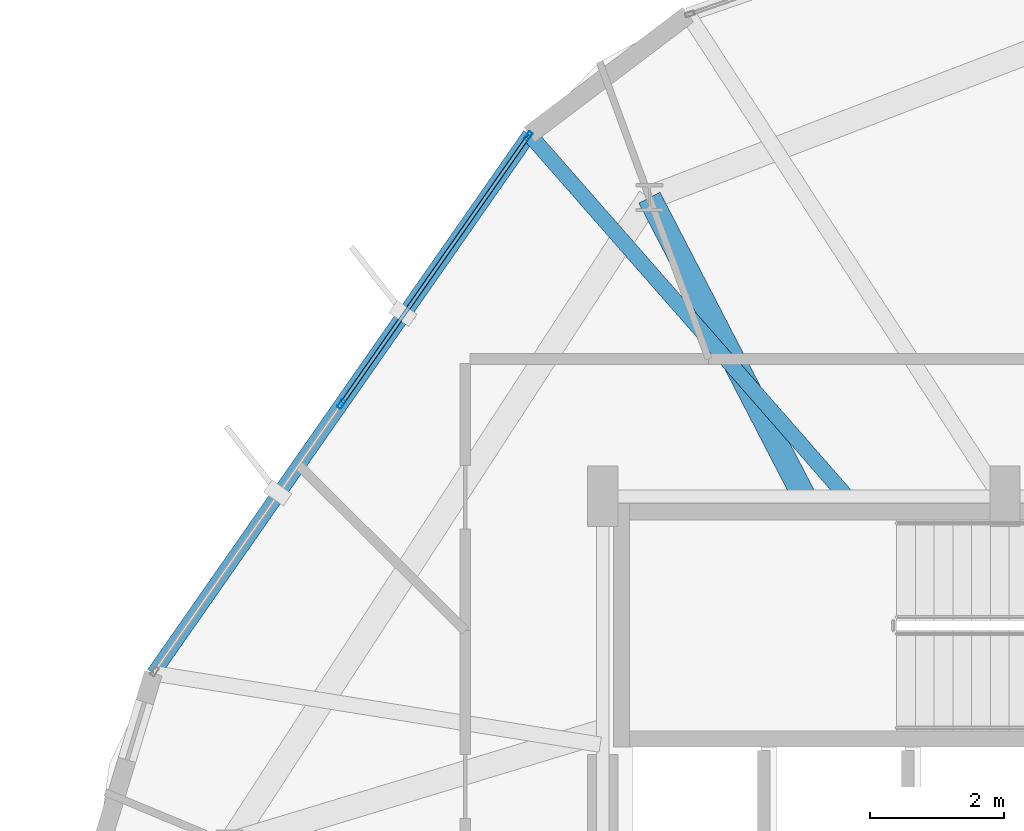
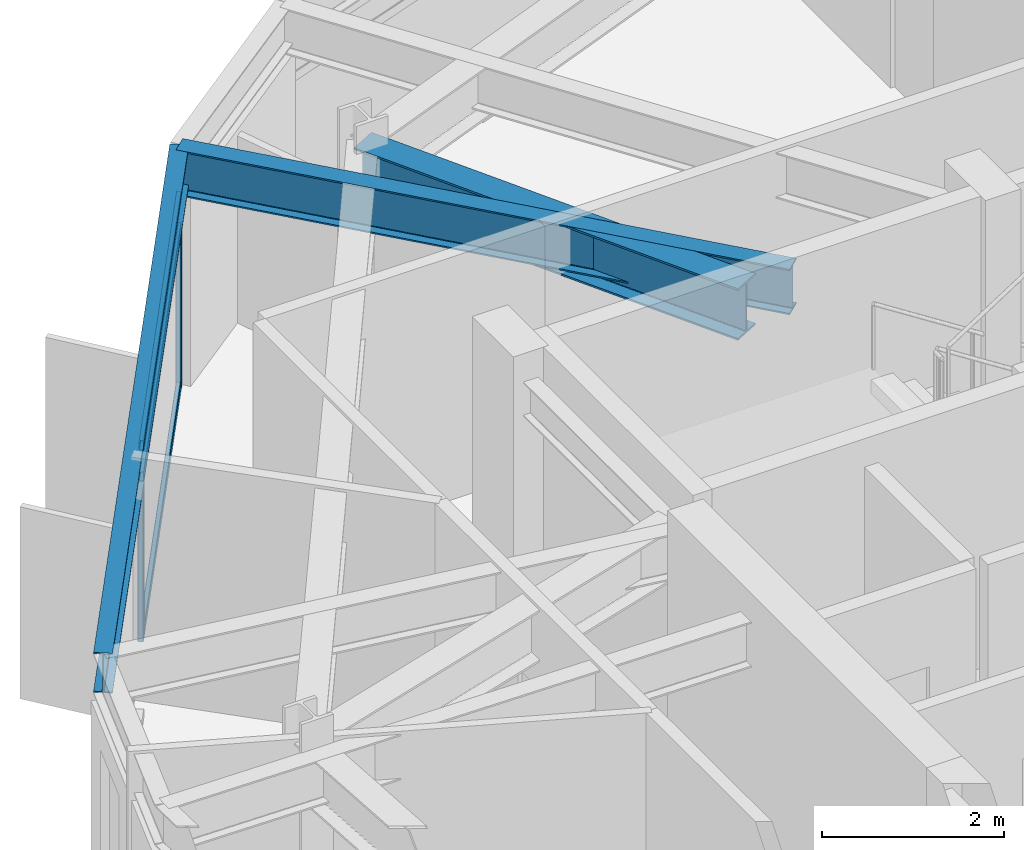
# One storey, part 19 of 34: 5 members, 3 beams, 1 element without a shape of its own.
"""IFC4 building model written with IfcOpenShell, lengths in metres."""

from ifc_helpers import new_model, si_unit, direction, frame, origin, origin_2d, place, context, subcontext, project, spatial, hollow_rectangle, i_section, extrude, material, layer, layer_set, material_profile, profile_set, type_object, element, aggregate, save


model = new_model("IFC4")

# Units and contexts
model_context = context("Model", 3, precision=1e-05, world=origin(), true_north=direction((0.0, 1.0)))
body_context = subcontext(model_context, "Body", "Model", "MODEL_VIEW")
ifc_project = project(units=[si_unit("LENGTHUNIT", "METRE"), si_unit("AREAUNIT", "SQUARE_METRE"), si_unit("VOLUMEUNIT", "CUBIC_METRE"), si_unit("PLANEANGLEUNIT", "RADIAN"), si_unit("MASSUNIT", "GRAM", prefix="KILO")], contexts=[model_context])

# Site, building, storey
site_placement = place(None, origin())
site = spatial("IfcSite", under=ifc_project, at=site_placement, CompositionType="ELEMENT")
building_placement = place(site_placement, origin())
building = spatial("IfcBuilding", under=site, at=building_placement, Name="Soratama Intermodal Tower", CompositionType="ELEMENT")
storey_placement = place(building_placement, frame((0.0, 0.0, 233.800048828125)))
storey = spatial("IfcBuildingStorey", under=building, at=storey_placement, Name="L59", CompositionType="ELEMENT", Elevation=233.800048828125)

# Beams
ifc_material_1 = material(Name="Structural steel ASTM A992 Grade 50", Category="steel")
ifc_material_profile_1 = material_profile(ifc_material_1, i_section(OverallWidth=0.35498046875, OverallDepth=0.695068359375, WebThickness=0.015380859375, FlangeThickness=0.02490234375, FilletRadius=0.01611328125, at=origin_2d()), Name="W27X146")
ifc_profile_set_1 = profile_set([ifc_material_profile_1], Name="Structural steel ASTM A992 Grade 50")
beam_type_1 = type_object("IfcBeamType", Name="BM-RING-W27X146", PredefinedType="BEAM", material=ifc_profile_set_1)
beam_1_placement = place(storey_placement, frame((35.60009765625, 35.0, 2.87255859375), z_axis=(-0.459552673174, 0.888150516849, 0.0), x_axis=(-0.888150516849, -0.459552673174, 0.0)))
element("IfcBeam", 1, at=beam_1_placement, inside=storey, type_object=beam_type_1, Name="BM-L59-RAD-04", PredefinedType="BEAM", context=body_context, shape_type="SweptSolid", body=[
    extrude(i_section(OverallWidth=0.35498046875, OverallDepth=0.695068359375, WebThickness=0.015380859375, FlangeThickness=0.02490234375, FilletRadius=0.01611328125, at=origin_2d()), origin(), (0.0, 0.0, 1.0), 5.01611328125),
])
ifc_material_2 = material(Name="Structural steel ASTM A992 Grade 50", Category="steel")
ifc_material_profile_2 = material_profile(ifc_material_2, i_section(OverallWidth=0.2099609375, OverallDepth=0.537109375, WebThickness=0.010986328125, FlangeThickness=0.017333984375, FilletRadius=0.012939453125, at=origin_2d()), Name="W21X68")
ifc_profile_set_2 = profile_set([ifc_material_profile_2], Name="Structural steel ASTM A992 Grade 50")
beam_type_2 = type_object("IfcBeamType", Name="BM-SPN-W21X68", PredefinedType="SPANDREL", material=ifc_profile_set_2)
beam_2_placement = place(storey_placement, frame((31.506103515625, 40.39501953125, 2.951416015625), z_axis=(-0.572393222026, -0.819979267651, 0.0), x_axis=(0.819979267651, -0.572393222026, 0.0)))
element("IfcBeam", 2, at=beam_2_placement, inside=storey, type_object=beam_type_2, Name="BS-L59-F03", PredefinedType="SPANDREL", context=body_context, shape_type="SweptSolid", body=[
    extrude(i_section(OverallWidth=0.2099609375, OverallDepth=0.537109375, WebThickness=0.010986328125, FlangeThickness=0.017333984375, FilletRadius=0.012939453125, at=origin_2d()), origin(), (0.0, 0.0, 1.0), 9.7978515625),
])
ifc_material_3 = material(Name="Structural steel ASTM A992 Grade 50", Category="steel")
ifc_material_profile_3 = material_profile(ifc_material_3, i_section(OverallWidth=0.22900390625, OverallDepth=0.612060546875, WebThickness=0.011962890625, FlangeThickness=0.01953125, FilletRadius=0.012939453125, at=origin_2d()), Name="W24X84")
ifc_profile_set_3 = profile_set([ifc_material_profile_3], Name="Structural steel ASTM A992 Grade 50")
beam_type_3 = type_object("IfcBeamType", Name="BM-TIE-W24X84", PredefinedType="BEAM", material=ifc_profile_set_3)
beam_3_placement = place(storey_placement, frame((36.2080078125, 35.030029296875, 2.9140625), z_axis=(-0.65910284978, 0.752052812914, 0.0), x_axis=(-0.752052812914, -0.65910284978, 0.0)))
element("IfcBeam", 3, at=beam_3_placement, inside=storey, type_object=beam_type_3, Name="BM-L59-TIE0-03", PredefinedType="BEAM", context=body_context, shape_type="SweptSolid", body=[
    extrude(i_section(OverallWidth=0.22900390625, OverallDepth=0.612060546875, WebThickness=0.011962890625, FlangeThickness=0.01953125, FilletRadius=0.012939453125, at=origin_2d()), origin(), (0.0, 0.0, 1.0), 7.1337890625),
])

# Curtain wall, members
ifc_material_4 = material(Name="Double-glazed aluminium curtain wall", Category="aluminium")
ifc_layer = layer(ifc_material_4, 0.159912109375)
ifc_layer_set = layer_set([ifc_layer], Name="Double-glazed aluminium curtain wall")
curtain_wall_type = type_object("IfcCurtainWallType", Name="CW-SYS-5", PredefinedType="NOTDEFINED", material=ifc_layer_set)
curtain_wall_placement = place(storey_placement, origin())
curtain_wall = element("IfcCurtainWall", 4, at=curtain_wall_placement, inside=storey, type_object=curtain_wall_type, Name="L59 Faceted Curtain Wall F03", PredefinedType="NOTDEFINED")
ifc_material_5 = material(Name="Anodised aluminium AA 6063-T6", Category="aluminium")
ifc_material_profile_4 = material_profile(ifc_material_5, hollow_rectangle(XDim=0.06494140625, YDim=0.139892578125, WallThickness=0.0048828125, InnerFilletRadius=0.0048828125, OuterFilletRadius=0.010009765625, at=origin_2d()), Name="CWM140X65X5")
ifc_profile_set_4 = profile_set([ifc_material_profile_4], Name="Anodised aluminium AA 6063-T6")
member_type_1 = type_object("IfcMemberType", Name="MT-CWM-5", PredefinedType="MULLION", material=ifc_profile_set_4)
member_1_placement = place(storey_placement, frame((31.48876953125, 40.37060546875, 0.0), z_axis=(0.0, 0.0, 1.0), x_axis=(0.819951485288, -0.572433019465, 0.0)))
member_1 = element("IfcMember", 5, at=member_1_placement, type_object=member_type_1, Name="CW-5 mullion 1", PredefinedType="MULLION", context=body_context, shape_type="SweptSolid", body=[
    extrude(hollow_rectangle(XDim=0.06494140625, YDim=0.139892578125, WallThickness=0.0048828125, InnerFilletRadius=0.0048828125, OuterFilletRadius=0.010009765625, at=origin_2d()), origin(), (0.0, 0.0, 1.0), 2.598876953125),
])
member_2_placement = place(storey_placement, frame((28.70166015625, 36.37841796875, 0.0), z_axis=(0.0, 0.0, 1.0), x_axis=(0.819951485288, -0.572433019465, 0.0)))
member_2 = element("IfcMember", 6, at=member_2_placement, type_object=member_type_1, Name="CW-5 mullion 2", PredefinedType="MULLION", context=body_context, shape_type="SweptSolid", body=[
    extrude(hollow_rectangle(XDim=0.06494140625, YDim=0.139892578125, WallThickness=0.0048828125, InnerFilletRadius=0.0048828125, OuterFilletRadius=0.010009765625, at=origin_2d()), origin(), (0.0, 0.0, 1.0), 2.598876953125),
])
ifc_material_6 = material(Name="Anodised aluminium AA 6063-T6", Category="aluminium")
ifc_material_profile_5 = material_profile(ifc_material_6, hollow_rectangle(XDim=0.06005859375, YDim=0.1298828125, WallThickness=0.0048828125, InnerFilletRadius=0.0048828125, OuterFilletRadius=0.010009765625, at=origin_2d()), Name="CWT130X60X5")
ifc_profile_set_5 = profile_set([ifc_material_profile_5], Name="Anodised aluminium AA 6063-T6")
member_type_2 = type_object("IfcMemberType", Name="TT-CWT-2", PredefinedType="USERDEFINED", material=ifc_profile_set_5)
member_3_placement = place(storey_placement, frame((31.4716796875, 40.345947265625, 0.030029296875), z_axis=(-0.572415839523, -0.819963478859, 0.0), x_axis=(0.819963478859, -0.572415839523, 0.0)))
member_3 = element("IfcMember", 7, at=member_3_placement, type_object=member_type_2, Name="CW-5 transom 1.1", ObjectType="TRANSOM", PredefinedType="USERDEFINED", context=body_context, shape_type="SweptSolid", body=[
    extrude(hollow_rectangle(XDim=0.06005859375, YDim=0.1298828125, WallThickness=0.0048828125, InnerFilletRadius=0.0048828125, OuterFilletRadius=0.010009765625, at=origin_2d()), origin(), (0.0, 0.0, 1.0), 4.808837890625),
])
member_4_placement = place(storey_placement, frame((31.4716796875, 40.345947265625, 2.14990234375), z_axis=(-0.572415839523, -0.819963478859, 0.0), x_axis=(0.819963478859, -0.572415839523, 0.0)))
member_4 = element("IfcMember", 8, at=member_4_placement, type_object=member_type_2, Name="CW-5 transom 1.2", ObjectType="TRANSOM", PredefinedType="USERDEFINED", context=body_context, shape_type="SweptSolid", body=[
    extrude(hollow_rectangle(XDim=0.06005859375, YDim=0.1298828125, WallThickness=0.0048828125, InnerFilletRadius=0.0048828125, OuterFilletRadius=0.010009765625, at=origin_2d()), origin(), (0.0, 0.0, 1.0), 4.808837890625),
])
member_5_placement = place(storey_placement, frame((31.4716796875, 40.345947265625, 2.56884765625), z_axis=(-0.572415839523, -0.819963478859, 0.0), x_axis=(0.819963478859, -0.572415839523, 0.0)))
member_5 = element("IfcMember", 9, at=member_5_placement, type_object=member_type_2, Name="CW-5 transom 1.3", ObjectType="TRANSOM", PredefinedType="USERDEFINED", context=body_context, shape_type="SweptSolid", body=[
    extrude(hollow_rectangle(XDim=0.06005859375, YDim=0.1298828125, WallThickness=0.0048828125, InnerFilletRadius=0.0048828125, OuterFilletRadius=0.010009765625, at=origin_2d()), origin(), (0.0, 0.0, 1.0), 4.808837890625),
])
aggregate(curtain_wall, [member_1, member_2, member_3, member_4, member_5])

save(model, "model.ifc")
